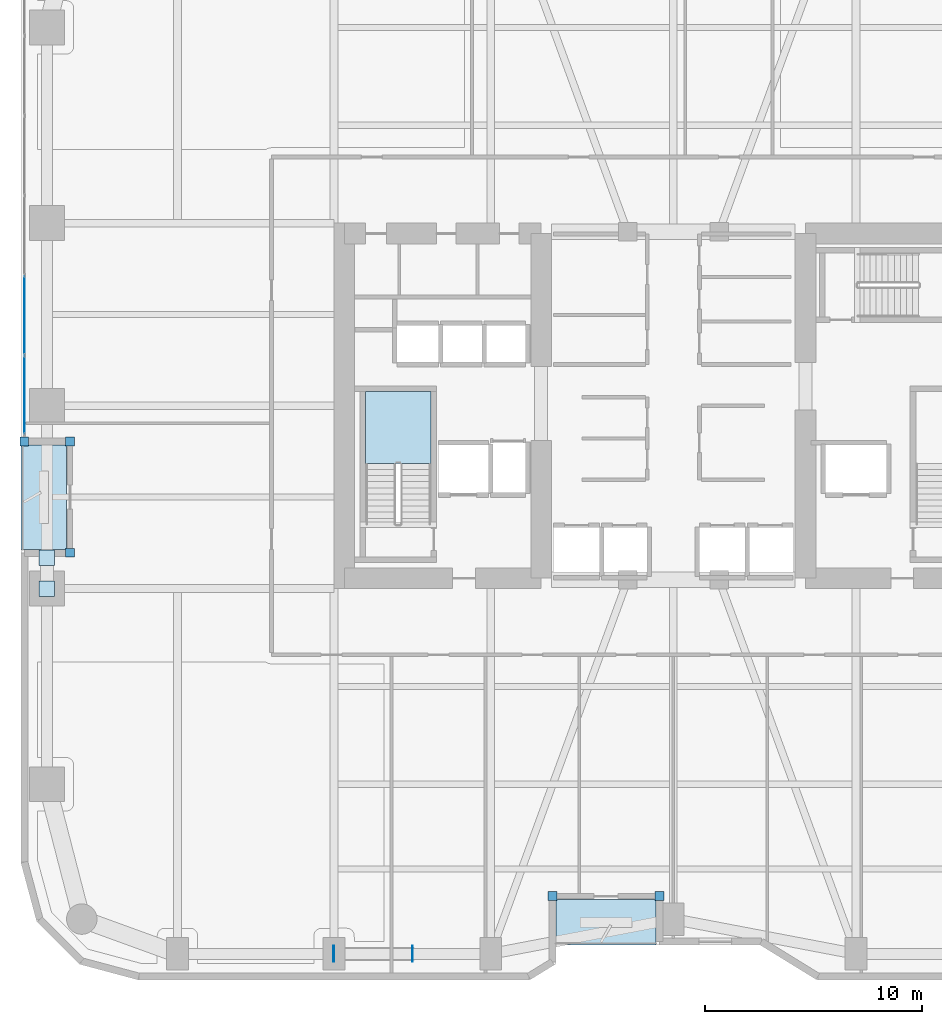
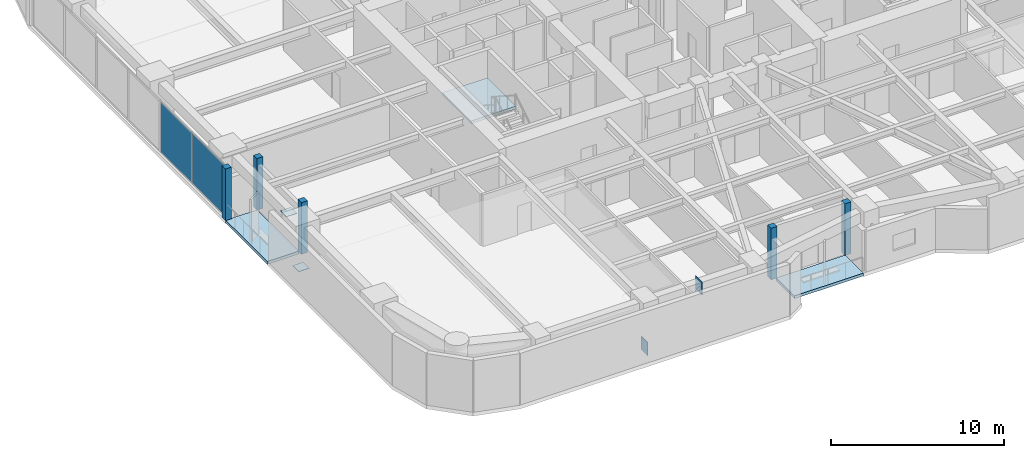
# One storey, part 19 of 28: 11 plates, 3 slabs, 2 elements without a shape of their own.
"""IFC4 building model written with IfcOpenShell, lengths in metres."""

import ifcopenshell
import ifcopenshell.guid

model = None  # the IFC model being written
_history = None  # IfcOwnerHistory: only IFC2X3 demands one
_inside = {}  # id of a spatial element -> (the spatial element, [elements in it])
_under = {}  # id of a project, library or spatial element -> (it, [spatial elements below it])
_declared = {}  # id of a project -> (the project, [libraries it declares])
_typed = {}  # id of a type object -> (the type object, [elements of that type])
_made_of = {}  # id of a material, layer set ... -> (it, [elements and type objects made of it])


def new_model(schema):
    """Start an empty IFC model of exactly this schema.

    Asked for "IFC4X3", IfcOpenShell would pick the latest addendum, in which some entities
    have other attributes; the version numbers below select the first issue.
    IFC2X3 requires an IfcOwnerHistory on every rooted entity: one is made here for all.
    """
    global model, _history
    if schema == "IFC4X3":
        model = ifcopenshell.file(schema_version=(4, 3, 0, 0))
    else:
        model = ifcopenshell.file(schema=schema)
    _inside.clear()
    _under.clear()
    _declared.clear()
    _typed.clear()
    _made_of.clear()
    _history = None
    if model.schema == "IFC2X3":
        org = make("IfcOrganization", Name="unknown")
        user = make(
            "IfcPersonAndOrganization",
            ThePerson=make("IfcPerson", FamilyName="unknown"),
            TheOrganization=org,
        )
        app = make(
            "IfcApplication",
            ApplicationDeveloper=org,
            Version="unknown",
            ApplicationFullName="unknown",
            ApplicationIdentifier="unknown",
        )
        _history = make(
            "IfcOwnerHistory",
            OwningUser=user,
            OwningApplication=app,
            ChangeAction="ADDED",
            CreationDate=0,
        )
    return model


def make(cls, **values):
    """One entity of the class cls with the attributes given. An attribute that is None is left unset."""
    return model.create_entity(
        cls, **{name: value for name, value in values.items() if value is not None}
    )


def rooted(cls, **values):
    """An entity with a GlobalId (a new one), such as an element, a storey or a relation."""
    return make(cls, GlobalId=ifcopenshell.guid.new(), OwnerHistory=_history, **values)


def si_unit(unit_type, name, prefix=None):
    """IfcSIUnit, for example si_unit("LENGTHUNIT", "METRE", prefix="MILLI")."""
    return make("IfcSIUnit", UnitType=unit_type, Prefix=prefix, Name=name)


def assignment(units):
    """IfcUnitAssignment: the units of a project."""
    return None if units is None else make("IfcUnitAssignment", Units=units)


def point(xyz):
    """IfcCartesianPoint."""
    return None if xyz is None else make("IfcCartesianPoint", Coordinates=xyz)


def direction(xyz):
    """IfcDirection."""
    return None if xyz is None else make("IfcDirection", DirectionRatios=xyz)


def frame(location, z_axis=None, x_axis=None):
    """IfcAxis2Placement3D, a coordinate frame: its origin and axes. An axis left out is left unset."""
    return make(
        "IfcAxis2Placement3D",
        Location=point(location),
        Axis=direction(z_axis),
        RefDirection=direction(x_axis),
    )


def frame_2d(location, x_axis=None):
    """IfcAxis2Placement2D, a coordinate frame in the plane: its origin and x axis."""
    return make(
        "IfcAxis2Placement2D", Location=point(location), RefDirection=direction(x_axis)
    )


def origin():
    """The frame at (0, 0, 0) with its axes left unset."""
    return frame((0.0, 0.0, 0.0))


def origin_2d():
    """The frame at (0, 0) in the plane with its x axis left unset."""
    return frame_2d((0.0, 0.0))


def place(relative_to, where):
    """IfcLocalPlacement: puts the frame where relative to a parent placement (None: the world)."""
    return make(
        "IfcLocalPlacement", PlacementRelTo=relative_to, RelativePlacement=where
    )


def context(
    kind, dimensions, precision=None, world=None, true_north=None, identifier=None
):
    """IfcGeometricRepresentationContext, for example the 3D "Model" context."""
    return make(
        "IfcGeometricRepresentationContext",
        ContextIdentifier=identifier,
        ContextType=kind,
        CoordinateSpaceDimension=dimensions,
        Precision=precision,
        WorldCoordinateSystem=world,
        TrueNorth=true_north,
    )


def subcontext(parent, identifier, kind, view, scale=None):
    """IfcGeometricRepresentationSubContext, for example "Body" below "Model"."""
    return make(
        "IfcGeometricRepresentationSubContext",
        ContextIdentifier=identifier,
        ContextType=kind,
        ParentContext=parent,
        TargetScale=scale,
        TargetView=view,
    )


def project(units=None, contexts=None):
    """IfcProject with its units and contexts."""
    return rooted(
        "IfcProject",
        Name="project",
        RepresentationContexts=contexts,
        UnitsInContext=assignment(units),
    )


def spatial(cls, under=None, at=None, **own):
    """A site, building, storey or space (cls), placed at a placement, below another one or the project."""
    s = rooted(cls, ObjectPlacement=at, **own)
    if under is not None:
        _under.setdefault(under.id(), (under, []))[1].append(s)
    return s


def polyline(points):
    """IfcPolyline through the points."""
    return make("IfcPolyline", Points=[point(p) for p in points])


def profile(cls, at=None, kind="AREA", **sizes):
    """A parametric profile (cls). Its sizes go by their IFC names, for example OverallWidth=200.0."""
    return make(cls, ProfileType=kind, Position=at, **sizes)


def rectangle(**sizes):
    """IfcRectangleProfileDef."""
    return profile("IfcRectangleProfileDef", **sizes)


def outline(outer, holes=None, kind="AREA"):
    """IfcArbitraryClosedProfileDef: a profile drawn as a closed curve; with holes, ...WithVoids."""
    if holes is None:
        return make("IfcArbitraryClosedProfileDef", ProfileType=kind, OuterCurve=outer)
    return make(
        "IfcArbitraryProfileDefWithVoids",
        ProfileType=kind,
        OuterCurve=outer,
        InnerCurves=holes,
    )


def extrude(swept, where, along, depth):
    """IfcExtrudedAreaSolid: the profile swept, set in the frame where, extruded along a direction by depth."""
    return make(
        "IfcExtrudedAreaSolid",
        SweptArea=swept,
        Position=where,
        ExtrudedDirection=direction(along),
        Depth=depth,
    )


def shape(context_of_items, identifier, shape_type, items):
    """IfcShapeRepresentation: the items that make up one representation, for example the "Body"."""
    return make(
        "IfcShapeRepresentation",
        ContextOfItems=context_of_items,
        RepresentationIdentifier=identifier,
        RepresentationType=shape_type,
        Items=items,
    )


def material(Name=None, Category=None):
    """IfcMaterial."""
    return make("IfcMaterial", Name=Name, Category=Category)


def layer(
    of_material, thickness, ventilated=None, Name=None, Category=None, Priority=None
):
    """IfcMaterialLayer: one layer of a wall or slab, of a material (None: an air gap)."""
    return make(
        "IfcMaterialLayer",
        Material=of_material,
        LayerThickness=thickness,
        IsVentilated=ventilated,
        Name=Name,
        Category=Category,
        Priority=Priority,
    )


def layer_set(layers, Name=None):
    """IfcMaterialLayerSet."""
    return make("IfcMaterialLayerSet", MaterialLayers=layers, LayerSetName=Name)


def made_of(thing, what):
    """Note that an element or type object is made of a material, layer set ...; save() writes the relation."""
    if what is not None:
        _made_of.setdefault(what.id(), (what, []))[1].append(thing)
    return thing


def type_object(cls, material=None, **own):
    """A type object (cls), such as IfcWallType, which elements share."""
    return made_of(rooted(cls, **own), material)


def element(
    cls,
    number,
    at=None,
    inside=None,
    cuts=None,
    type_object=None,
    material=None,
    context=None,
    identifier="Body",
    shape_type=None,
    held_by="IfcProductDefinitionShape",
    body=None,
    shapes=None,
    **own,
):
    """One element of the class cls, such as IfcWall. Its Tag is "e" and its number.

    at: its placement. inside: the storey or other place that contains it. cuts: it is an
    opening in that element (IfcRelVoidsElement). A single representation is given by context,
    identifier, shape_type and body (its items); several are given by shapes. held_by: the class
    of the entity that holds the representations. save() writes the other relations.
    """
    e = rooted(cls, Tag="e%d" % number, ObjectPlacement=at, **own)
    if body is not None:
        shapes = [shape(context, identifier, shape_type, body)]
    if shapes is not None:
        e.Representation = make(held_by, Representations=shapes)
    if inside is not None:
        _inside.setdefault(inside.id(), (inside, []))[1].append(e)
    if cuts is not None:
        rooted(
            "IfcRelVoidsElement", RelatingBuildingElement=cuts, RelatedOpeningElement=e
        )
    if type_object is not None:
        _typed.setdefault(type_object.id(), (type_object, []))[1].append(e)
    return made_of(e, material)


def aggregate(whole, parts):
    """IfcRelAggregates: a whole, such as a stair, and the parts it consists of."""
    return rooted("IfcRelAggregates", RelatingObject=whole, RelatedObjects=parts)


def save(model, path):
    """Write the relations noted so far, then the file.

    IfcRelAggregates (storeys below a building ...), IfcRelContainedInSpatialStructure (elements
    in a storey), IfcRelDefinesByType, IfcRelAssociatesMaterial and IfcRelDeclares: one each for
    every whole, place, type object, material and project.
    """
    for whole, parts in _under.values():
        aggregate(whole, parts)
    for where, things in _inside.values():
        rooted(
            "IfcRelContainedInSpatialStructure",
            RelatedElements=things,
            RelatingStructure=where,
        )
    for kind, things in _typed.values():
        rooted("IfcRelDefinesByType", RelatedObjects=things, RelatingType=kind)
    for what, things in _made_of.values():
        rooted("IfcRelAssociatesMaterial", RelatedObjects=things, RelatingMaterial=what)
    for by, libraries in _declared.values():
        rooted("IfcRelDeclares", RelatingContext=by, RelatedDefinitions=libraries)
    model.write(path)


model = new_model("IFC4")

# Units and contexts
model_context = context("Model", 3, precision=1e-05, world=origin(), true_north=direction((0.0, 1.0)))
body_context = subcontext(model_context, "Body", "Model", "MODEL_VIEW")
ifc_project = project(units=[si_unit("LENGTHUNIT", "METRE"), si_unit("AREAUNIT", "SQUARE_METRE"), si_unit("VOLUMEUNIT", "CUBIC_METRE"), si_unit("PLANEANGLEUNIT", "RADIAN"), si_unit("MASSUNIT", "GRAM", prefix="KILO")], contexts=[model_context])

# Site, building, storey
site_placement = place(None, origin())
site = spatial("IfcSite", under=ifc_project, at=site_placement, CompositionType="ELEMENT")
building_placement = place(site_placement, origin())
building = spatial("IfcBuilding", under=site, at=building_placement, Name="Kiyonajd Concourse Tower", CompositionType="ELEMENT")
storey_placement = place(building_placement, frame((0.0, 0.0, 60.60009765625)))
storey = spatial("IfcBuildingStorey", under=building, at=storey_placement, Name="L16", CompositionType="ELEMENT", Elevation=60.60009765625)

# Plates
ifc_material_1 = material(Name="Steel ASTM A572 Grade 50", Category="steel")
ifc_layer_1 = layer(ifc_material_1, 0.028076171875)
ifc_layer_set_1 = layer_set([ifc_layer_1], Name="Steel ASTM A572 Grade 50")
plate_type_1 = type_object("IfcPlateType", Name="PL-CAP-450", PredefinedType="USERDEFINED", material=ifc_layer_set_1)
for number, where, z_axis, x_axis, name in (
    (1, (32.3916015625, 10.800048828125, -0.173583984375), (0.0, 0.0, 1.0), (-1.0, 0.0, 0.0), "L16 Hollow Brace End Cap Plate PBS"),
    (2, (36.008544921875, 10.800048828125, 2.830322265625), (0.0, 0.0, 1.0), (1.0, 0.0, 0.0), "L16 Hollow Brace Top Cap Plate PBS"),
):
    element("IfcPlate", number, at=place(storey_placement, frame(where, z_axis=z_axis, x_axis=x_axis)), inside=storey, type_object=plate_type_1, Name=name, ObjectType="CAP PLATE", PredefinedType="USERDEFINED", context=body_context, shape_type="SweptSolid", body=[
        extrude(rectangle(XDim=0.035888671875, YDim=0.72998046875, at=origin_2d()), origin(), (0.0, 0.0, 1.0), 0.93310546875),
    ])
for number, where, z_axis, x_axis, name in (
    (3, (19.199951171875, 27.59521484375, 0.27587890625), (0.0, 0.0, 1.0), (1.0, 0.0, 0.0), "L16 Hollow Brace End Cap Plate PBW"),
    (4, (19.199951171875, 29.004638671875, 3.28564453125), (0.0, 0.0, 1.0), (1.0, 0.0, 0.0), "L16 Hollow Brace Top Cap Plate PBW"),
):
    element("IfcPlate", number, at=place(storey_placement, frame(where, z_axis=z_axis, x_axis=x_axis)), inside=storey, type_object=plate_type_1, Name=name, ObjectType="CAP PLATE", PredefinedType="USERDEFINED", context=body_context, shape_type="SweptSolid", body=[
        extrude(rectangle(XDim=0.7099609375, YDim=0.7099609375, at=origin_2d()), origin(), (0.0, 0.0, 1.0), 0.028076171875),
    ])

# Curtain wall, plates
ifc_material_2 = material(Name="Thermally Broken Anodised Aluminium", Category="aluminium")
ifc_layer_2 = layer(ifc_material_2, 0.179931640625)
ifc_layer_set_2 = layer_set([ifc_layer_2], Name="Thermally Broken Anodised Aluminium")
curtain_wall_type = type_object("IfcCurtainWallType", Name="CW-SYS-02", PredefinedType="NOTDEFINED", material=ifc_layer_set_2)
curtain_wall_placement = place(storey_placement, origin())
curtain_wall = element("IfcCurtainWall", 5, at=curtain_wall_placement, inside=storey, type_object=curtain_wall_type, Name="L16 Unitised Curtain Wall CW2", PredefinedType="NOTDEFINED")
ifc_material_3 = material(Name="Double Low-E Insulated Glass", Category="glass")
ifc_layer_3 = layer(ifc_material_3, 0.028076171875)
ifc_layer_set_3 = layer_set([ifc_layer_3], Name="Double Low-E Insulated Glass")
plate_type_2 = type_object("IfcPlateType", Name="PL-CW-VIS28", PredefinedType="CURTAIN_PANEL", material=ifc_layer_set_3)
plate_1_placement = place(storey_placement, frame((18.159912109375, 36.5029296875, 0.06494140625), z_axis=(0.0, 0.0, 1.0), x_axis=(0.0, 1.0, 0.0)))
plate_1 = element("IfcPlate", 6, at=plate_1_placement, type_object=plate_type_2, Name="CW2 panel 1.1", PredefinedType="CURTAIN_PANEL", context=body_context, shape_type="SweptSolid", body=[
    extrude(rectangle(XDim=3.57568359375, YDim=0.028076171875, at=origin_2d()), origin(), (0.0, 0.0, 1.0), 3.510009765625),
])
plate_2_placement = place(storey_placement, frame((18.159912109375, 40.15966796875, 0.06494140625), z_axis=(0.0, 0.0, 1.0), x_axis=(0.0, 1.0, 0.0)))
plate_2 = element("IfcPlate", 7, at=plate_2_placement, type_object=plate_type_2, Name="CW2 panel 2.1", PredefinedType="CURTAIN_PANEL", context=body_context, shape_type="SweptSolid", body=[
    extrude(rectangle(XDim=3.608154296875, YDim=0.028076171875, at=origin_2d()), origin(), (0.0, 0.0, 1.0), 3.510009765625),
])
aggregate(curtain_wall, [plate_1, plate_2])

# Plates
ifc_layer_4 = layer(ifc_material_2, 0.39990234375)
ifc_layer_set_4 = layer_set([ifc_layer_4], Name="Thermally Broken Anodised Aluminium")
plate_type_3 = type_object("IfcPlateType", Name="PL-JMB-400", PredefinedType="USERDEFINED", material=ifc_layer_set_4)
for number, where, z_axis, x_axis, name in (
    (8, (20.260009765625, 29.239990234375, 0.0), (0.0, 0.0, 1.0), (1.0, 0.0, 0.0), "L16 Facade Jamb Closure Plate 01"),
    (9, (20.260009765625, 34.360107421875, 0.0), (0.0, 0.0, 1.0), (1.0, 0.0, 0.0), "L16 Facade Jamb Closure Plate 02"),
    (10, (18.159912109375, 34.360107421875, 0.0), (0.0, 0.0, 1.0), (1.0, 0.0, 0.0), "L16 Facade Jamb Closure Plate 03"),
    (11, (47.360107421875, 13.4599609375, 0.0), (0.0, 0.0, 1.0), (1.0, 0.0, 0.0), "L16 Facade Jamb Closure Plate 13"),
    (12, (42.43994140625, 13.4599609375, 0.0), (0.0, 0.0, 1.0), (1.0, 0.0, 0.0), "L16 Facade Jamb Closure Plate 14"),
):
    element("IfcPlate", number, at=place(storey_placement, frame(where, z_axis=z_axis, x_axis=x_axis)), inside=storey, type_object=plate_type_3, Name=name, ObjectType="JAMB PLATE", PredefinedType="USERDEFINED", context=body_context, shape_type="SweptSolid", body=[
        extrude(rectangle(XDim=0.39990234375, YDim=0.39990234375, at=origin_2d()), origin(), (0.0, 0.0, 1.0), 3.639892578125),
    ])

# Stair, slab
ifc_material_4 = material(Name="Concrete C40/50", Category="concrete")
stair_type = type_object("IfcStairType", Name="ST-DLG-22R", PredefinedType="HALF_TURN_STAIR", material=ifc_material_4)
stair_placement = place(storey_placement, origin())
stair = element("IfcStair", 13, at=stair_placement, inside=storey, type_object=stair_type, Name="L16 Protected Exit Stair ST1", PredefinedType="HALF_TURN_STAIR")
ifc_layer_5 = layer(ifc_material_4, 0.199951171875)
ifc_layer_set_5 = layer_set([ifc_layer_5], Name="Concrete C40/50")
slab_type_1 = type_object("IfcSlabType", Name="SL-LND-200", PredefinedType="LANDING", material=ifc_layer_set_5)
slab_1_placement = place(storey_placement, frame((0.0, 0.0, 1.75)))
slab_1 = element("IfcSlab", 14, at=slab_1_placement, type_object=slab_type_1, Name="ST1 landing 1", PredefinedType="LANDING", context=body_context, shape_type="SweptSolid", body=[
    extrude(outline(polyline([(36.85009765625, 33.35009765625), (36.85009765625, 36.64990234375), (33.85009765625, 36.64990234375), (33.85009765625, 33.35009765625), (36.85009765625, 33.35009765625)])), origin(), (0.0, 0.0, 1.0), 0.199951171875),
])
aggregate(stair, [slab_1])

# Slabs
ifc_material_5 = material(Name="Precast concrete C50/60", Category="concrete")
ifc_layer_6 = layer(ifc_material_5, 0.199951171875)
ifc_layer_set_6 = layer_set([ifc_layer_6], Name="Precast concrete C50/60")
slab_type_2 = type_object("IfcSlabType", Name="SL-LOG-200", PredefinedType="FLOOR", material=ifc_layer_set_6)
slab_2_placement = place(storey_placement, frame((0.0, 0.0, -0.2001953125)))
element("IfcSlab", 15, at=slab_2_placement, inside=storey, type_object=slab_type_2, Name="L16 Recessed Engawa Loggia Terrace Slab LOG-S", PredefinedType="FLOOR", context=body_context, shape_type="SweptSolid", body=[
    extrude(outline(polyline([(42.60009765625, 11.199951171875), (47.199951171875, 11.199951171875), (47.199951171875, 13.300048828125), (42.60009765625, 13.300048828125), (42.60009765625, 11.199951171875)])), origin(), (0.0, 0.0, 1.0), 0.2001953125),
])
slab_3_placement = place(storey_placement, frame((0.0, 0.0, -0.2001953125)))
element("IfcSlab", 16, at=slab_3_placement, inside=storey, type_object=slab_type_2, Name="L16 Recessed Engawa Loggia Terrace Slab LOG-W", PredefinedType="FLOOR", context=body_context, shape_type="SweptSolid", body=[
    extrude(outline(polyline([(18.0, 29.39990234375), (20.10009765625, 29.39990234375), (20.10009765625, 34.199951171875), (18.0, 34.199951171875), (18.0, 29.39990234375)])), origin(), (0.0, 0.0, 1.0), 0.2001953125),
])

save(model, "model.ifc")
